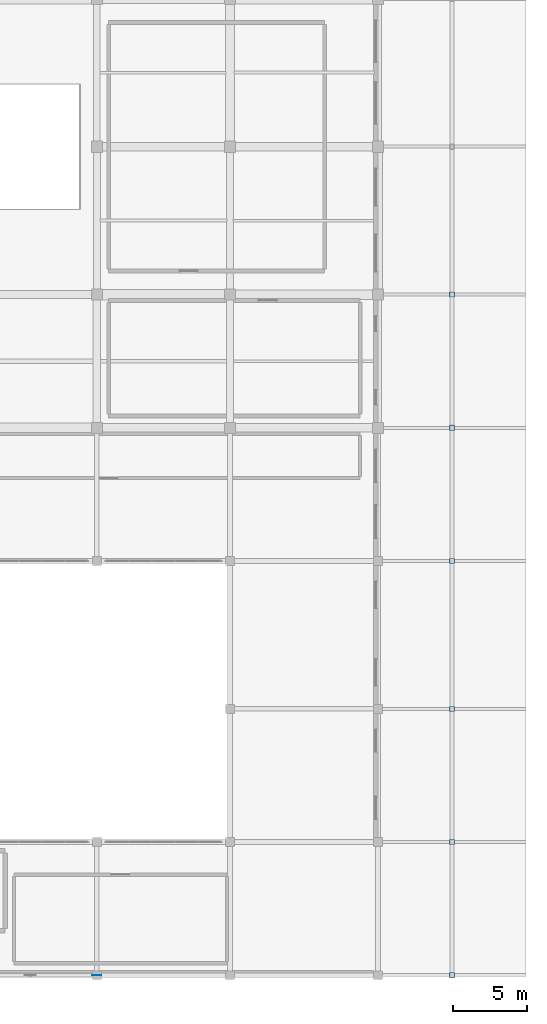
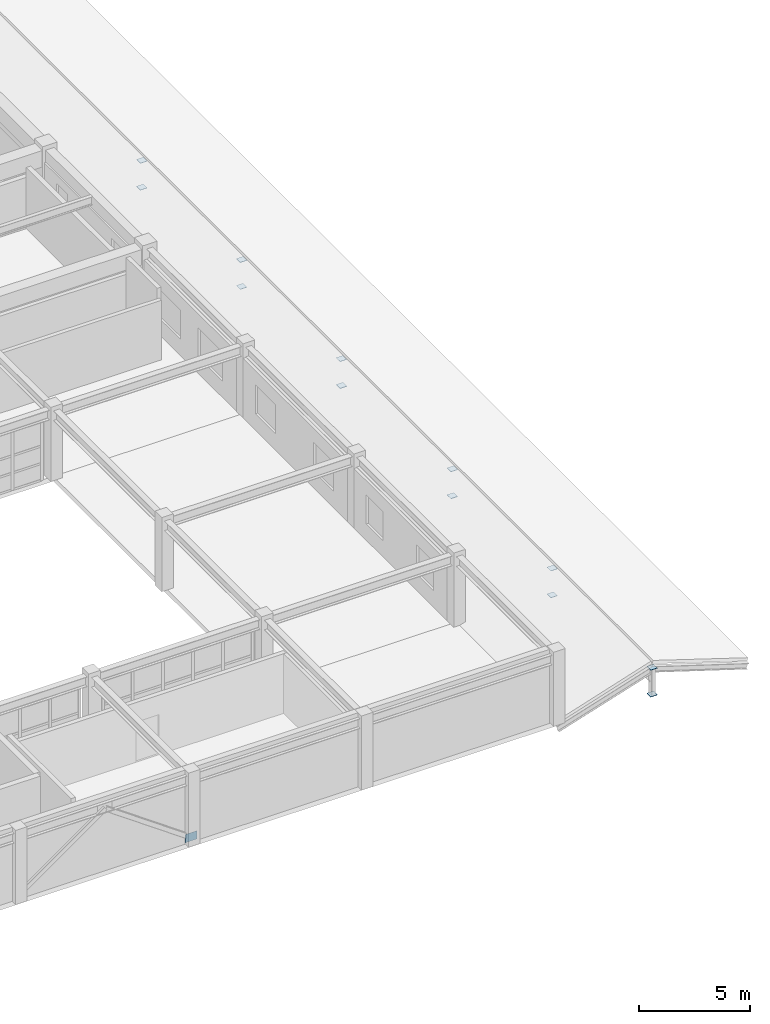
# One storey, part 105 of 130: 13 plates.
"""IFC4 building model written with IfcOpenShell, lengths in metres."""

from ifc_helpers import new_model, si_unit, direction, frame, origin, origin_2d, place, context, subcontext, project, spatial, rectangle, extrude, material, layer, layer_set, type_object, element, save


model = new_model("IFC4")

# Units and contexts
model_context = context("Model", 3, precision=1e-05, world=origin(), true_north=direction((0.0, 1.0)))
body_context = subcontext(model_context, "Body", "Model", "MODEL_VIEW")
ifc_project = project(units=[si_unit("LENGTHUNIT", "METRE"), si_unit("AREAUNIT", "SQUARE_METRE"), si_unit("VOLUMEUNIT", "CUBIC_METRE"), si_unit("PLANEANGLEUNIT", "RADIAN"), si_unit("MASSUNIT", "GRAM", prefix="KILO")], contexts=[model_context])

# Site, building, storey
site_placement = place(None, origin())
site = spatial("IfcSite", under=ifc_project, at=site_placement, CompositionType="ELEMENT")
building_placement = place(site_placement, origin())
building = spatial("IfcBuilding", under=site, at=building_placement, Name="Miravela Opera House", CompositionType="ELEMENT")
storey_placement = place(building_placement, frame((0.0, 0.0, 9.52001953125)))
storey = spatial("IfcBuildingStorey", under=building, at=storey_placement, Name="L02", CompositionType="ELEMENT", Elevation=9.52001953125)

# Plates
ifc_material = material(Name="Structural steel ASTM A572 Gr. 50", Category="steel")
ifc_layer_1 = layer(ifc_material, 0.02001953125)
ifc_layer_set_1 = layer_set([ifc_layer_1])
plate_type_1 = type_object("IfcPlateType", Name="STR-PL-CAP-350X350X20", PredefinedType="SHEET", material=ifc_layer_set_1)
for number, where, z_axis, x_axis, name in (
    (1, (159.0, 0.0, -0.263916015625), (0.0, 0.0, 1.0), (1.0, 0.0, 0.0), "HSS Welded End Cap Plate 094"),
    (2, (159.0, 0.0, 1.2138671875), (0.0, 0.0, 1.0), (1.0, 0.0, 0.0), "HSS Welded End Cap Plate 095"),
    (3, (159.0, 9.0, -0.263916015625), (0.0, 0.0, 1.0), (1.0, 0.0, 0.0), "HSS Welded End Cap Plate 096"),
    (4, (159.0, 9.0, 1.2138671875), (0.0, 0.0, 1.0), (1.0, 0.0, 0.0), "HSS Welded End Cap Plate 097"),
    (5, (159.0, 18.0, -0.263916015625), (0.0, 0.0, 1.0), (1.0, 0.0, 0.0), "HSS Welded End Cap Plate 098"),
    (6, (159.0, 18.0, 1.2138671875), (0.0, 0.0, 1.0), (1.0, 0.0, 0.0), "HSS Welded End Cap Plate 099"),
    (7, (159.0, 28.0, -0.263916015625), (0.0, 0.0, 1.0), (1.0, 0.0, 0.0), "HSS Welded End Cap Plate 100"),
    (8, (159.0, 28.0, 1.2138671875), (0.0, 0.0, 1.0), (1.0, 0.0, 0.0), "HSS Welded End Cap Plate 101"),
    (9, (159.0, 37.0, -0.263916015625), (0.0, 0.0, 1.0), (1.0, 0.0, 0.0), "HSS Welded End Cap Plate 102"),
    (10, (159.0, 37.0, 1.2138671875), (0.0, 0.0, 1.0), (1.0, 0.0, 0.0), "HSS Welded End Cap Plate 103"),
    (11, (159.0, 46.0, -0.263916015625), (0.0, 0.0, 1.0), (1.0, 0.0, 0.0), "HSS Welded End Cap Plate 104"),
    (12, (159.0, 46.0, 1.2138671875), (0.0, 0.0, 1.0), (1.0, 0.0, 0.0), "HSS Welded End Cap Plate 105"),
):
    element("IfcPlate", number, at=place(storey_placement, frame(where, z_axis=z_axis, x_axis=x_axis)), inside=storey, type_object=plate_type_1, Name=name, PredefinedType="SHEET", context=body_context, shape_type="SweptSolid", body=[
        extrude(rectangle(XDim=0.35009765625, YDim=0.35009765625, at=origin_2d()), origin(), (0.0, 0.0, 1.0), 0.02001953125),
    ])
ifc_layer_2 = layer(ifc_material, 0.01806640625)
ifc_layer_set_2 = layer_set([ifc_layer_2])
plate_type_2 = type_object("IfcPlateType", Name="STR-PL-GUS-600X450X18", PredefinedType="USERDEFINED", material=ifc_layer_set_2)
plate_placement = place(storey_placement, frame((135.0, 0.0, 0.0751953125), z_axis=(0.0, 0.0, 1.0), x_axis=(1.0, 0.0, 0.0)))
element("IfcPlate", 13, at=plate_placement, inside=storey, type_object=plate_type_2, Name="Brace Wall Cast-In Embed Plate 317", ObjectType="GUSSET PLATE", PredefinedType="USERDEFINED", context=body_context, shape_type="SweptSolid", body=[
    extrude(rectangle(XDim=0.60009765625, YDim=0.01806640625, at=origin_2d()), origin(), (0.0, 0.0, 1.0), 0.449951171875),
])

save(model, "model.ifc")
